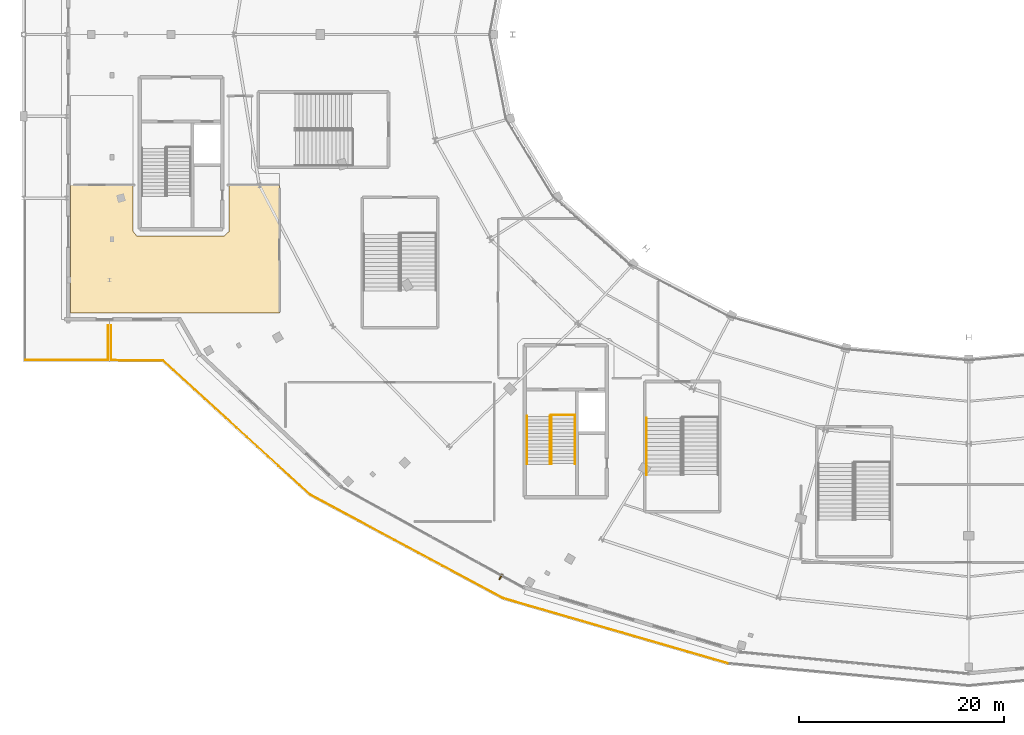
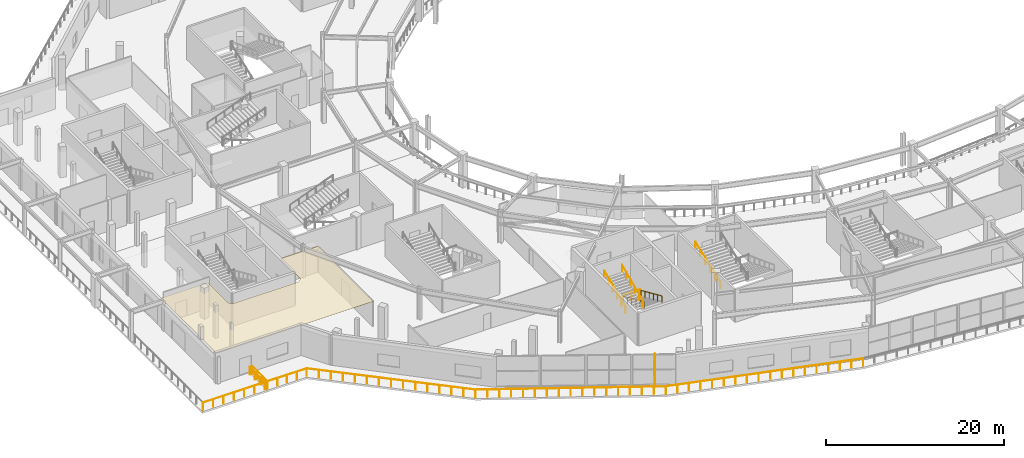
# One storey, part 88 of 107: 13 railings, 1 covering, 1 shading device.
"""IFC4 building model written with IfcOpenShell, lengths in metres."""

from ifc_helpers import new_model, si_unit, direction, frame, origin, origin_2d, place, context, subcontext, project, spatial, polyline, rectangle, circle, outline, extrude, material, layer, layer_set, type_object, element, save


model = new_model("IFC4")

# Units and contexts
model_context = context("Model", 3, precision=1e-05, world=origin(), true_north=direction((0.0, 1.0)))
body_context = subcontext(model_context, "Body", "Model", "MODEL_VIEW")
ifc_project = project(units=[si_unit("LENGTHUNIT", "METRE"), si_unit("AREAUNIT", "SQUARE_METRE"), si_unit("VOLUMEUNIT", "CUBIC_METRE"), si_unit("PLANEANGLEUNIT", "RADIAN"), si_unit("MASSUNIT", "GRAM", prefix="KILO")], contexts=[model_context])

# Site, building, storey
site_placement = place(None, origin())
site = spatial("IfcSite", under=ifc_project, at=site_placement, CompositionType="ELEMENT")
building_placement = place(site_placement, origin())
building = spatial("IfcBuilding", under=site, at=building_placement, Name="Kalgoora Escarpment Arena", CompositionType="ELEMENT")
storey_placement = place(building_placement, frame((0.0, 0.0, 5.39990234375)))
storey = spatial("IfcBuildingStorey", under=building, at=storey_placement, Name="L01", CompositionType="ELEMENT", Elevation=5.39990234375)

# Covering
ifc_material_1 = material(Name="Perforated acoustic mineral-fibre ceiling tile")
ifc_layer_1 = layer(ifc_material_1, 0.02490234375)
ifc_layer_set_1 = layer_set([ifc_layer_1], Name="COV-CEIL-ACOUSTIC")
covering_type = type_object("IfcCoveringType", Name="COV-CEIL-ACOUSTIC", PredefinedType="CEILING", material=ifc_layer_set_1)
covering_placement = place(storey_placement, frame((0.0, 0.0, 3.47998046875)))
element("IfcCovering", 1, at=covering_placement, inside=storey, type_object=covering_type, Name="L01 Arena Cafe acoustic suspended ceiling", PredefinedType="CEILING", context=body_context, shape_type="SweptSolid", body=[
    extrude(outline(polyline([(25.039306640625, 36.792236328125), (4.577880859375, 36.7666015625), (4.566650390625, 49.297119140625), (10.699951171875, 49.31494140625), (10.702392578125, 44.7509765625), (11.054931640625, 44.321533203125), (19.60009765625, 44.300048828125), (20.09765625, 44.7509765625), (20.10009765625, 49.31494140625), (25.022216796875, 49.308349609375), (25.039306640625, 36.792236328125)])), origin(), (0.0, 0.0, 1.0), 0.025146484375),
])

# Railings
ifc_material_2 = material(Name="Galvanised & powdercoated tubular steel", Category="steel")
railing_type_1 = type_object("IfcRailingType", Name="RAL-GUARD-1120", PredefinedType="GUARDRAIL", material=ifc_material_2)
railing_1_placement = place(storey_placement, frame((53.889892578125, 26.7900390625, 0.0)))
element("IfcRailing", 2, at=railing_1_placement, inside=storey, type_object=railing_type_1, Name="ST05 L01 floor landing well guard", PredefinedType="GUARDRAIL", context=body_context, shape_type="SweptSolid", body=[
    extrude(circle(Radius=0.02392578125, at=origin_2d()), frame((0.0, 0.0, 1.09619140625), z_axis=(-1.0, 0.0, 0.0), x_axis=(0.0, -1.0, 0.0)), (0.0, 0.0, 1.0), 2.33984375),
    extrude(circle(Radius=0.02099609375, at=origin_2d()), origin(), (0.0, 0.0, 1.0), 1.072021484375),
    extrude(circle(Radius=0.02099609375, at=origin_2d()), frame((-1.169921875, 0.0, 0.0)), (0.0, 0.0, 1.0), 1.072021484375),
    extrude(circle(Radius=0.02099609375, at=origin_2d()), frame((-2.33984375, 0.0, 0.0)), (0.0, 0.0, 1.0), 1.072021484375),
])
ifc_material_3 = material(Name="Brushed stainless steel 316 handrail", Category="steel")
railing_type_2 = type_object("IfcRailingType", Name="RAL-HAND-920", PredefinedType="HANDRAIL", material=ifc_material_3)
for number, where, name in (
    (3, (53.89990234375, 26.7099609375, 0.110107421875), "ST05 L01 pitched stair handrail F1L"),
    (4, (51.6201171875, 26.7099609375, 0.110107421875), "ST05 L01 pitched stair handrail F1R"),
):
    element("IfcRailing", number, at=place(storey_placement, frame(where)), inside=storey, type_object=railing_type_2, Name=name, PredefinedType="HANDRAIL", context=body_context, shape_type="SweptSolid", body=[
        extrude(circle(Radius=0.02392578125, at=origin_2d()), frame((0.0, 0.0, 0.89599609375), z_axis=(0.0, -0.913643874524, 0.406515523129), x_axis=(1.0, 0.0, 0.0)), (0.0, 0.0, 1.0), 5.166015625),
        extrude(circle(Radius=0.02099609375, at=origin_2d()), origin(), (0.0, 0.0, 1.0), 0.871826171875),
        extrude(circle(Radius=0.02099609375, at=origin_2d()), frame((0.0, -0.944091796875, 0.419921875)), (0.0, 0.0, 1.0), 0.871826171875),
        extrude(circle(Radius=0.02099609375, at=origin_2d()), frame((0.0, -1.887939453125, 0.840087890625)), (0.0, 0.0, 1.0), 0.871826171875),
        extrude(circle(Radius=0.02099609375, at=origin_2d()), frame((0.0, -2.83203125, 1.260009765625)), (0.0, 0.0, 1.0), 0.871826171875),
        extrude(circle(Radius=0.02099609375, at=origin_2d()), frame((0.0, -3.77587890625, 1.68017578125)), (0.0, 0.0, 1.0), 0.871826171875),
        extrude(circle(Radius=0.02099609375, at=origin_2d()), frame((0.0, -4.719970703125, 2.10009765625)), (0.0, 0.0, 1.0), 0.871826171875),
    ])
for number, where, name in (
    (5, (51.47998046875, 21.989990234375, 2.360107421875), "ST05 L01 pitched stair handrail F2L"),
    (6, (49.199951171875, 21.989990234375, 2.360107421875), "ST05 L01 pitched stair handrail F2R"),
):
    element("IfcRailing", number, at=place(storey_placement, frame(where)), inside=storey, type_object=railing_type_2, Name=name, PredefinedType="HANDRAIL", context=body_context, shape_type="SweptSolid", body=[
        extrude(circle(Radius=0.02392578125, at=origin_2d()), frame((0.0, 0.0, 0.89599609375), z_axis=(0.0, 0.913643874524, 0.406515523129), x_axis=(-1.0, 0.0, 0.0)), (0.0, 0.0, 1.0), 5.166015625),
        extrude(circle(Radius=0.02099609375, at=origin_2d()), origin(), (0.0, 0.0, 1.0), 0.871826171875),
        extrude(circle(Radius=0.02099609375, at=origin_2d()), frame((0.0, 0.944091796875, 0.419921875)), (0.0, 0.0, 1.0), 0.871826171875),
        extrude(circle(Radius=0.02099609375, at=origin_2d()), frame((0.0, 1.887939453125, 0.840087890625)), (0.0, 0.0, 1.0), 0.871826171875),
        extrude(circle(Radius=0.02099609375, at=origin_2d()), frame((0.0, 2.83203125, 1.260009765625)), (0.0, 0.0, 1.0), 0.871826171875),
        extrude(circle(Radius=0.02099609375, at=origin_2d()), frame((0.0, 3.77587890625, 1.68017578125)), (0.0, 0.0, 1.0), 0.871826171875),
        extrude(circle(Radius=0.02099609375, at=origin_2d()), frame((0.0, 4.719970703125, 2.10009765625)), (0.0, 0.0, 1.0), 0.871826171875),
    ])
railing_2_placement = place(storey_placement, frame((60.89990234375, 20.949951171875, 2.360107421875)))
element("IfcRailing", 7, at=railing_2_placement, inside=storey, type_object=railing_type_2, Name="ST13 L01 pitched stair handrail F2R", PredefinedType="HANDRAIL", context=body_context, shape_type="SweptSolid", body=[
    extrude(circle(Radius=0.02392578125, at=origin_2d()), frame((0.0, 0.0, 0.89599609375), z_axis=(0.0, 0.935492612948, 0.353346248203), x_axis=(-1.0, 0.0, 0.0)), (0.0, 0.0, 1.0), 5.943359375),
    extrude(circle(Radius=0.02099609375, at=origin_2d()), origin(), (0.0, 0.0, 1.0), 0.871826171875),
    extrude(circle(Radius=0.02099609375, at=origin_2d()), frame((0.0, 1.112060546875, 0.419921875)), (0.0, 0.0, 1.0), 0.871826171875),
    extrude(circle(Radius=0.02099609375, at=origin_2d()), frame((0.0, 2.22412109375, 0.840087890625)), (0.0, 0.0, 1.0), 0.871826171875),
    extrude(circle(Radius=0.02099609375, at=origin_2d()), frame((0.0, 3.3359375, 1.260009765625)), (0.0, 0.0, 1.0), 0.871826171875),
    extrude(circle(Radius=0.02099609375, at=origin_2d()), frame((0.0, 4.447998046875, 1.68017578125)), (0.0, 0.0, 1.0), 0.871826171875),
    extrude(circle(Radius=0.02099609375, at=origin_2d()), frame((0.0, 5.56005859375, 2.10009765625)), (0.0, 0.0, 1.0), 0.871826171875),
])
ifc_material_4 = material(Name="Champagne anodised aluminium & laminated glass", Category="aluminium")
railing_type_3 = type_object("IfcRailingType", Name="RAL-TERR-1100", PredefinedType="GUARDRAIL", material=ifc_material_4)
railing_3_placement = place(storey_placement, frame((8.239990234375, 35.550048828125, 0.0)))
element("IfcRailing", 8, at=railing_3_placement, inside=storey, type_object=railing_type_3, Name="Upper Foyer Escarpment Plaza perimeter guardrail 003", PredefinedType="GUARDRAIL", context=body_context, shape_type="SweptSolid", body=[
    extrude(circle(Radius=0.02392578125, at=origin_2d()), frame((0.0, 0.0, 1.09619140625), z_axis=(0.0, -1.0, 0.0), x_axis=(1.0, 0.0, 0.0)), (0.0, 0.0, 1.0), 3.39013671875),
    extrude(circle(Radius=0.02099609375, at=origin_2d()), origin(), (0.0, 0.0, 1.0), 1.072021484375),
    extrude(circle(Radius=0.02099609375, at=origin_2d()), frame((0.0, -1.130126953125, 0.0)), (0.0, 0.0, 1.0), 1.072021484375),
    extrude(circle(Radius=0.02099609375, at=origin_2d()), frame((0.0, -2.260009765625, 0.0)), (0.0, 0.0, 1.0), 1.072021484375),
    extrude(circle(Radius=0.02099609375, at=origin_2d()), frame((0.0, -3.39013671875, 0.0)), (0.0, 0.0, 1.0), 1.072021484375),
])
railing_4_placement = place(storey_placement, frame((8.239990234375, 32.159912109375, 0.0)))
element("IfcRailing", 9, at=railing_4_placement, inside=storey, type_object=railing_type_3, Name="Upper Foyer Escarpment Plaza perimeter guardrail 004", PredefinedType="GUARDRAIL", context=body_context, shape_type="SweptSolid", body=[
    extrude(circle(Radius=0.02392578125, at=origin_2d()), frame((0.0, 0.0, 1.09619140625), z_axis=(-1.0, 0.0, 0.0), x_axis=(0.0, -1.0, 0.0)), (0.0, 0.0, 1.0), 8.080078125),
    extrude(circle(Radius=0.02099609375, at=origin_2d()), origin(), (0.0, 0.0, 1.0), 1.072021484375),
    extrude(circle(Radius=0.02099609375, at=origin_2d()), frame((-1.3466796875, 0.0, 0.0)), (0.0, 0.0, 1.0), 1.072021484375),
    extrude(circle(Radius=0.02099609375, at=origin_2d()), frame((-2.693359375, 0.0, 0.0)), (0.0, 0.0, 1.0), 1.072021484375),
    extrude(circle(Radius=0.02099609375, at=origin_2d()), frame((-4.0400390625, 0.0, 0.0)), (0.0, 0.0, 1.0), 1.072021484375),
    extrude(circle(Radius=0.02099609375, at=origin_2d()), frame((-5.38671875, 0.0, 0.0)), (0.0, 0.0, 1.0), 1.072021484375),
    extrude(circle(Radius=0.02099609375, at=origin_2d()), frame((-6.7333984375, 0.0, 0.0)), (0.0, 0.0, 1.0), 1.072021484375),
    extrude(circle(Radius=0.02099609375, at=origin_2d()), frame((-8.080078125, 0.0, 0.0)), (0.0, 0.0, 1.0), 1.072021484375),
])
railing_5_placement = place(storey_placement, frame((68.82568359375, 2.53173828125, 0.0)))
element("IfcRailing", 10, at=railing_5_placement, inside=storey, type_object=railing_type_3, Name="Lower Planted Elliptical Garden Promenade perimeter guardrail 001", PredefinedType="GUARDRAIL", context=body_context, shape_type="SweptSolid", body=[
    extrude(circle(Radius=0.02392578125, at=origin_2d()), frame((0.0, 0.0, 1.09619140625), z_axis=(-0.960488289944, 0.278320399685, 0.0), x_axis=(-0.278320399685, -0.960488289944, 0.0)), (0.0, 0.0, 1.0), 22.868408203125),
    extrude(circle(Radius=0.02099609375, at=origin_2d()), origin(), (0.0, 0.0, 1.0), 1.072021484375),
    extrude(circle(Radius=0.02099609375, at=origin_2d()), frame((-1.2919921875, 0.37451171875, 0.0)), (0.0, 0.0, 1.0), 1.072021484375),
    extrude(circle(Radius=0.02099609375, at=origin_2d()), frame((-2.583984375, 0.748779296875, 0.0)), (0.0, 0.0, 1.0), 1.072021484375),
    extrude(circle(Radius=0.02099609375, at=origin_2d()), frame((-3.876220703125, 1.123291015625, 0.0)), (0.0, 0.0, 1.0), 1.072021484375),
    extrude(circle(Radius=0.02099609375, at=origin_2d()), frame((-5.168212890625, 1.49755859375, 0.0)), (0.0, 0.0, 1.0), 1.072021484375),
    extrude(circle(Radius=0.02099609375, at=origin_2d()), frame((-6.460205078125, 1.8720703125, 0.0)), (0.0, 0.0, 1.0), 1.072021484375),
    extrude(circle(Radius=0.02099609375, at=origin_2d()), frame((-7.752197265625, 2.246337890625, 0.0)), (0.0, 0.0, 1.0), 1.072021484375),
    extrude(circle(Radius=0.02099609375, at=origin_2d()), frame((-9.04443359375, 2.620849609375, 0.0)), (0.0, 0.0, 1.0), 1.072021484375),
    extrude(circle(Radius=0.02099609375, at=origin_2d()), frame((-10.33642578125, 2.9951171875, 0.0)), (0.0, 0.0, 1.0), 1.072021484375),
    extrude(circle(Radius=0.02099609375, at=origin_2d()), frame((-11.62841796875, 3.36962890625, 0.0)), (0.0, 0.0, 1.0), 1.072021484375),
    extrude(circle(Radius=0.02099609375, at=origin_2d()), frame((-12.92041015625, 3.743896484375, 0.0)), (0.0, 0.0, 1.0), 1.072021484375),
    extrude(circle(Radius=0.02099609375, at=origin_2d()), frame((-14.212646484375, 4.118408203125, 0.0)), (0.0, 0.0, 1.0), 1.072021484375),
    extrude(circle(Radius=0.02099609375, at=origin_2d()), frame((-15.504638671875, 4.49267578125, 0.0)), (0.0, 0.0, 1.0), 1.072021484375),
    extrude(circle(Radius=0.02099609375, at=origin_2d()), frame((-16.796630859375, 4.8671875, 0.0)), (0.0, 0.0, 1.0), 1.072021484375),
    extrude(circle(Radius=0.02099609375, at=origin_2d()), frame((-18.088623046875, 5.241455078125, 0.0)), (0.0, 0.0, 1.0), 1.072021484375),
    extrude(circle(Radius=0.02099609375, at=origin_2d()), frame((-19.380859375, 5.615966796875, 0.0)), (0.0, 0.0, 1.0), 1.072021484375),
    extrude(circle(Radius=0.02099609375, at=origin_2d()), frame((-20.6728515625, 5.990234375, 0.0)), (0.0, 0.0, 1.0), 1.072021484375),
    extrude(circle(Radius=0.02099609375, at=origin_2d()), frame((-21.96484375, 6.36474609375, 0.0)), (0.0, 0.0, 1.0), 1.072021484375),
])
railing_6_placement = place(storey_placement, frame((46.86083984375, 8.896484375, 0.0)))
element("IfcRailing", 11, at=railing_6_placement, inside=storey, type_object=railing_type_3, Name="Lower Planted Elliptical Garden Promenade perimeter guardrail 002", PredefinedType="GUARDRAIL", context=body_context, shape_type="SweptSolid", body=[
    extrude(circle(Radius=0.02392578125, at=origin_2d()), frame((0.0, 0.0, 1.09619140625), z_axis=(-0.881082471233, 0.472962661196, 0.0), x_axis=(-0.472962661196, -0.881082471233, 0.0)), (0.0, 0.0, 1.0), 21.40087890625),
    extrude(circle(Radius=0.02099609375, at=origin_2d()), origin(), (0.0, 0.0, 1.0), 1.072021484375),
    extrude(circle(Radius=0.02099609375, at=origin_2d()), frame((-1.178466796875, 0.632568359375, 0.0)), (0.0, 0.0, 1.0), 1.072021484375),
    extrude(circle(Radius=0.02099609375, at=origin_2d()), frame((-2.35693359375, 1.26513671875, 0.0)), (0.0, 0.0, 1.0), 1.072021484375),
    extrude(circle(Radius=0.02099609375, at=origin_2d()), frame((-3.535400390625, 1.89794921875, 0.0)), (0.0, 0.0, 1.0), 1.072021484375),
    extrude(circle(Radius=0.02099609375, at=origin_2d()), frame((-4.7138671875, 2.530517578125, 0.0)), (0.0, 0.0, 1.0), 1.072021484375),
    extrude(circle(Radius=0.02099609375, at=origin_2d()), frame((-5.892578125, 3.1630859375, 0.0)), (0.0, 0.0, 1.0), 1.072021484375),
    extrude(circle(Radius=0.02099609375, at=origin_2d()), frame((-7.071044921875, 3.795654296875, 0.0)), (0.0, 0.0, 1.0), 1.072021484375),
    extrude(circle(Radius=0.02099609375, at=origin_2d()), frame((-8.24951171875, 4.42822265625, 0.0)), (0.0, 0.0, 1.0), 1.072021484375),
    extrude(circle(Radius=0.02099609375, at=origin_2d()), frame((-9.427978515625, 5.06103515625, 0.0)), (0.0, 0.0, 1.0), 1.072021484375),
    extrude(circle(Radius=0.02099609375, at=origin_2d()), frame((-10.6064453125, 5.693603515625, 0.0)), (0.0, 0.0, 1.0), 1.072021484375),
    extrude(circle(Radius=0.02099609375, at=origin_2d()), frame((-11.784912109375, 6.326171875, 0.0)), (0.0, 0.0, 1.0), 1.072021484375),
    extrude(circle(Radius=0.02099609375, at=origin_2d()), frame((-12.96337890625, 6.958740234375, 0.0)), (0.0, 0.0, 1.0), 1.072021484375),
    extrude(circle(Radius=0.02099609375, at=origin_2d()), frame((-14.14208984375, 7.59130859375, 0.0)), (0.0, 0.0, 1.0), 1.072021484375),
    extrude(circle(Radius=0.02099609375, at=origin_2d()), frame((-15.320556640625, 8.223876953125, 0.0)), (0.0, 0.0, 1.0), 1.072021484375),
    extrude(circle(Radius=0.02099609375, at=origin_2d()), frame((-16.4990234375, 8.856689453125, 0.0)), (0.0, 0.0, 1.0), 1.072021484375),
    extrude(circle(Radius=0.02099609375, at=origin_2d()), frame((-17.677490234375, 9.4892578125, 0.0)), (0.0, 0.0, 1.0), 1.072021484375),
    extrude(circle(Radius=0.02099609375, at=origin_2d()), frame((-18.85595703125, 10.121826171875, 0.0)), (0.0, 0.0, 1.0), 1.072021484375),
])
railing_7_placement = place(storey_placement, frame((28.0048828125, 19.018310546875, 0.0)))
element("IfcRailing", 12, at=railing_7_placement, inside=storey, type_object=railing_type_3, Name="Lower Planted Elliptical Garden Promenade perimeter guardrail 003", PredefinedType="GUARDRAIL", context=body_context, shape_type="SweptSolid", body=[
    extrude(circle(Radius=0.02392578125, at=origin_2d()), frame((0.0, 0.0, 1.09619140625), z_axis=(-0.738986548243, 0.673720180428, 0.0), x_axis=(-0.673720180428, -0.738986548243, 0.0)), (0.0, 0.0, 1.0), 19.444091796875),
    extrude(circle(Radius=0.02099609375, at=origin_2d()), origin(), (0.0, 0.0, 1.0), 1.072021484375),
    extrude(circle(Radius=0.02099609375, at=origin_2d()), frame((-1.0263671875, 0.935791015625, 0.0)), (0.0, 0.0, 1.0), 1.072021484375),
    extrude(circle(Radius=0.02099609375, at=origin_2d()), frame((-2.052734375, 1.871337890625, 0.0)), (0.0, 0.0, 1.0), 1.072021484375),
    extrude(circle(Radius=0.02099609375, at=origin_2d()), frame((-3.0791015625, 2.80712890625, 0.0)), (0.0, 0.0, 1.0), 1.072021484375),
    extrude(circle(Radius=0.02099609375, at=origin_2d()), frame((-4.10546875, 3.742919921875, 0.0)), (0.0, 0.0, 1.0), 1.072021484375),
    extrude(circle(Radius=0.02099609375, at=origin_2d()), frame((-5.1318359375, 4.678466796875, 0.0)), (0.0, 0.0, 1.0), 1.072021484375),
    extrude(circle(Radius=0.02099609375, at=origin_2d()), frame((-6.158203125, 5.6142578125, 0.0)), (0.0, 0.0, 1.0), 1.072021484375),
    extrude(circle(Radius=0.02099609375, at=origin_2d()), frame((-7.1845703125, 6.5498046875, 0.0)), (0.0, 0.0, 1.0), 1.072021484375),
    extrude(circle(Radius=0.02099609375, at=origin_2d()), frame((-8.210693359375, 7.485595703125, 0.0)), (0.0, 0.0, 1.0), 1.072021484375),
    extrude(circle(Radius=0.02099609375, at=origin_2d()), frame((-9.237060546875, 8.42138671875, 0.0)), (0.0, 0.0, 1.0), 1.072021484375),
    extrude(circle(Radius=0.02099609375, at=origin_2d()), frame((-10.263427734375, 9.35693359375, 0.0)), (0.0, 0.0, 1.0), 1.072021484375),
    extrude(circle(Radius=0.02099609375, at=origin_2d()), frame((-11.289794921875, 10.292724609375, 0.0)), (0.0, 0.0, 1.0), 1.072021484375),
    extrude(circle(Radius=0.02099609375, at=origin_2d()), frame((-12.316162109375, 11.228515625, 0.0)), (0.0, 0.0, 1.0), 1.072021484375),
    extrude(circle(Radius=0.02099609375, at=origin_2d()), frame((-13.342529296875, 12.1640625, 0.0)), (0.0, 0.0, 1.0), 1.072021484375),
    extrude(circle(Radius=0.02099609375, at=origin_2d()), frame((-14.368896484375, 13.099853515625, 0.0)), (0.0, 0.0, 1.0), 1.072021484375),
])
railing_8_placement = place(storey_placement, frame((13.635986328125, 32.1181640625, 0.0)))
element("IfcRailing", 13, at=railing_8_placement, inside=storey, type_object=railing_type_3, Name="Lower Planted Elliptical Garden Promenade perimeter guardrail 004", PredefinedType="GUARDRAIL", context=body_context, shape_type="SweptSolid", body=[
    extrude(circle(Radius=0.02392578125, at=origin_2d()), frame((0.0, 0.0, 1.09619140625), z_axis=(-0.999966178767, 0.008224434446, 0.0), x_axis=(-0.008224434446, -0.999966178767, 0.0)), (0.0, 0.0, 1.0), 5.076171875),
    extrude(circle(Radius=0.02099609375, at=origin_2d()), origin(), (0.0, 0.0, 1.0), 1.072021484375),
    extrude(circle(Radius=0.02099609375, at=origin_2d()), frame((-1.26904296875, 0.010498046875, 0.0)), (0.0, 0.0, 1.0), 1.072021484375),
    extrude(circle(Radius=0.02099609375, at=origin_2d()), frame((-2.5380859375, 0.02099609375, 0.0)), (0.0, 0.0, 1.0), 1.072021484375),
    extrude(circle(Radius=0.02099609375, at=origin_2d()), frame((-3.806884765625, 0.03125, 0.0)), (0.0, 0.0, 1.0), 1.072021484375),
    extrude(circle(Radius=0.02099609375, at=origin_2d()), frame((-5.075927734375, 0.041748046875, 0.0)), (0.0, 0.0, 1.0), 1.072021484375),
])
railing_9_placement = place(storey_placement, frame((8.56005859375, 32.159912109375, 0.0)))
element("IfcRailing", 14, at=railing_9_placement, inside=storey, type_object=railing_type_3, Name="Lower Planted Elliptical Garden Promenade perimeter guardrail 005", PredefinedType="GUARDRAIL", context=body_context, shape_type="SweptSolid", body=[
    extrude(circle(Radius=0.02392578125, at=origin_2d()), frame((0.0, 0.0, 1.09619140625), z_axis=(0.0, 1.0, 0.0), x_axis=(-1.0, 0.0, 0.0)), (0.0, 0.0, 1.0), 3.39013671875),
    extrude(circle(Radius=0.02099609375, at=origin_2d()), origin(), (0.0, 0.0, 1.0), 1.072021484375),
    extrude(circle(Radius=0.02099609375, at=origin_2d()), frame((0.0, 1.130126953125, 0.0)), (0.0, 0.0, 1.0), 1.072021484375),
    extrude(circle(Radius=0.02099609375, at=origin_2d()), frame((0.0, 2.260009765625, 0.0)), (0.0, 0.0, 1.0), 1.072021484375),
    extrude(circle(Radius=0.02099609375, at=origin_2d()), frame((0.0, 3.39013671875, 0.0)), (0.0, 0.0, 1.0), 1.072021484375),
])

# Shading device
ifc_material_5 = material(Name="Champagne anodised extruded aluminium", Category="aluminium")
ifc_layer_2 = layer(ifc_material_5, 0.080078125)
ifc_layer_set_2 = layer_set([ifc_layer_2], Name="SHD-FIN-CHAMP")
shading_device_type = type_object("IfcShadingDeviceType", Name="SHD-FIN-CHAMP", PredefinedType="USERDEFINED", material=ifc_layer_set_2)
shading_device_placement = place(storey_placement, frame((46.640625, 10.9658203125, 0.0), z_axis=(0.0, 0.0, 1.0), x_axis=(-0.483282383255, -0.875464527, 0.0)))
element("IfcShadingDevice", 15, at=shading_device_placement, inside=storey, type_object=shading_device_type, Name="L01 champagne anodised solar fin 01", ObjectType="FIN", PredefinedType="USERDEFINED", context=body_context, shape_type="SweptSolid", body=[
    extrude(rectangle(XDim=0.56005859375, YDim=0.10009765625, at=origin_2d()), origin(), (0.0, 0.0, 1.0), 4.25),
])

save(model, "model.ifc")
